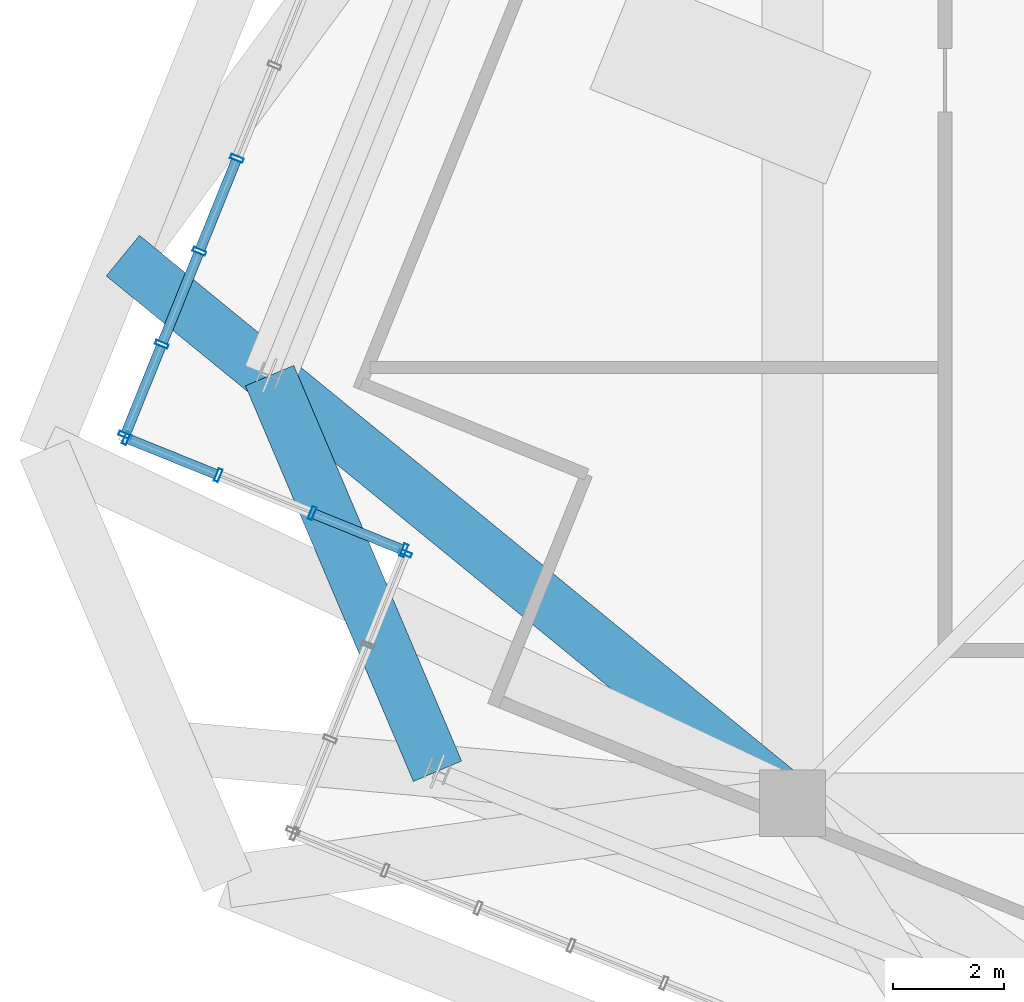
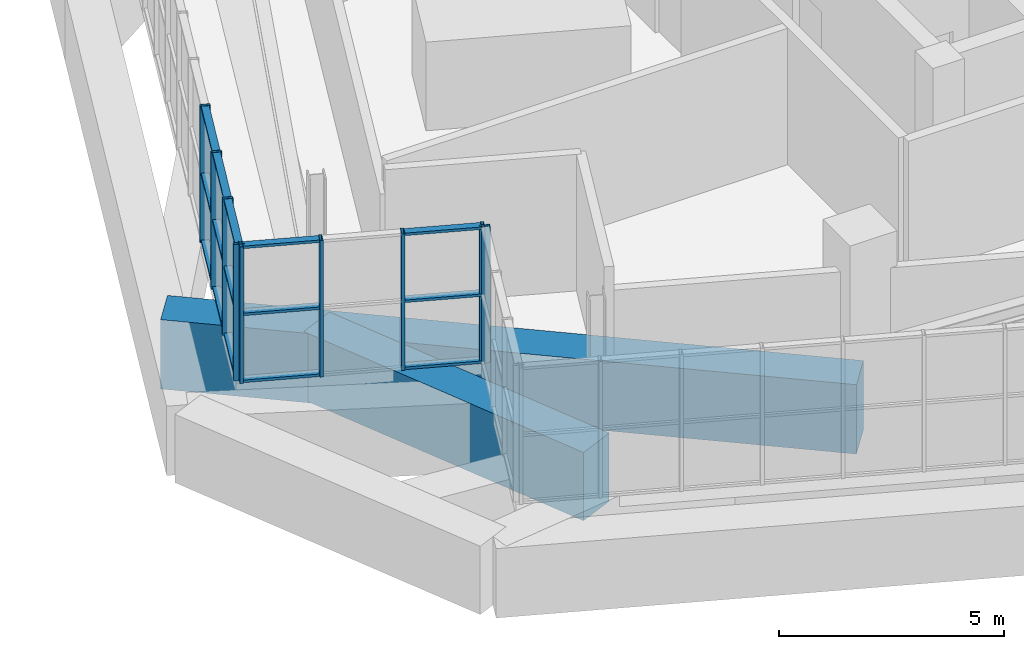
# One storey, part 9 of 35: 24 members, 2 beams, 3 elements without a shape of their own.
"""IFC4 building model written with IfcOpenShell, lengths in metres."""

from ifc_helpers import new_model, si_unit, direction, frame, origin, origin_2d, place, context, subcontext, project, spatial, rectangle, hollow_rectangle, extrude, source, transform, mapped, material, layer, layer_set, material_profile, profile_set, type_object, element, aggregate, save


model = new_model("IFC4")

# Units and contexts
model_context = context("Model", 3, precision=1e-05, world=origin(), true_north=direction((0.0, 1.0)))
body_context = subcontext(model_context, "Body", "Model", "MODEL_VIEW")
ifc_project = project(units=[si_unit("LENGTHUNIT", "METRE"), si_unit("AREAUNIT", "SQUARE_METRE"), si_unit("VOLUMEUNIT", "CUBIC_METRE"), si_unit("PLANEANGLEUNIT", "RADIAN"), si_unit("MASSUNIT", "GRAM", prefix="KILO"), si_unit("THERMODYNAMICTEMPERATUREUNIT", "KELVIN")], contexts=[model_context])

# Site, building, storey
site_placement = place(None, origin())
site = spatial("IfcSite", under=ifc_project, at=site_placement, CompositionType="ELEMENT")
building_placement = place(site_placement, origin())
building = spatial("IfcBuilding", under=site, at=building_placement, Name="Kosmvard Interchange Tower", CompositionType="ELEMENT")
storey_placement = place(building_placement, frame((0.0, 0.0, 321.60009765625)))
storey = spatial("IfcBuildingStorey", under=building, at=storey_placement, Name="L79", CompositionType="ELEMENT", Elevation=321.60009765625)

# Beams
ifc_material_1 = material(Name="Concrete C60/75", Category="concrete")
ifc_material_profile_1 = material_profile(ifc_material_1, rectangle(XDim=0.949951171875, YDim=1.8798828125, at=origin_2d()), Name="TG 950x1880")
ifc_profile_set_1 = profile_set([ifc_material_profile_1], Name="Concrete C60/75")
beam_type_1 = type_object("IfcBeamType", Name="Upper Long-Span Transfer Girder 950x1880 C60/75", PredefinedType="USERDEFINED", material=ifc_profile_set_1)
shared_shape_1 = source(origin(), body_context, "Body", "SweptSolid", [
    extrude(rectangle(XDim=0.949951171875, YDim=1.8798828125, at=origin_2d()), origin(), (0.0, 0.0, 1.0), 15.652587890625),
])
beam_1_placement = place(storey_placement, frame((-13.0810546875, -13.0810546875, -0.940185546875), z_axis=(-0.774168517921, 0.632979546163, 0.0), x_axis=(-0.632979546163, -0.774168517921, 0.0)))
element("IfcBeam", 1, at=beam_1_placement, inside=storey, type_object=beam_type_1, Name="BM-L79-RD09", ObjectType="TRANSFER_GIRDER", PredefinedType="USERDEFINED", context=body_context, shape_type="MappedRepresentation", body=[
    mapped(shared_shape_1, transform((0.0, 0.0, 0.0), scale=1.0)),
])
ifc_material_profile_2 = material_profile(ifc_material_1, rectangle(XDim=0.949951171875, YDim=1.85009765625, at=origin_2d()), Name="TG 950x1850")
ifc_profile_set_2 = profile_set([ifc_material_profile_2], Name="Concrete C60/75")
beam_type_2 = type_object("IfcBeamType", Name="Upper Transfer Ring Girder 950x1850 C60/75", PredefinedType="USERDEFINED", material=ifc_profile_set_2)
shared_shape_2 = source(origin(), body_context, "Body", "SweptSolid", [
    extrude(rectangle(XDim=0.949951171875, YDim=1.85009765625, at=origin_2d()), origin(), (0.0, 0.0, 1.0), 7.778076171875),
])
beam_2_placement = place(storey_placement, frame((-22.54345703125, -5.34423828125, -0.925048828125), z_axis=(0.39071589075, -0.92051132134, 0.0), x_axis=(0.92051132134, 0.39071589075, 0.0)))
element("IfcBeam", 2, at=beam_2_placement, inside=storey, type_object=beam_type_2, Name="BM-L79-PR09", ObjectType="TRANSFER_GIRDER", PredefinedType="USERDEFINED", context=body_context, shape_type="MappedRepresentation", body=[
    mapped(shared_shape_2, transform((0.0, 0.0, 0.0), scale=1.0)),
])

# Curtain wall, members
ifc_material_2 = material(Name="Architectural anodised aluminium", Category="aluminium")
ifc_layer = layer(ifc_material_2, 0.25, Name="Architectural anodised aluminium")
ifc_layer_set = layer_set([ifc_layer], Name="Architectural anodised aluminium")
curtain_wall_type = type_object("IfcCurtainWallType", Name="CW-6 Illuminated Crown Lantern Curtain Wall", PredefinedType="NOTDEFINED", material=ifc_layer_set)
curtain_wall_1_placement = place(storey_placement, origin())
curtain_wall_1 = element("IfcCurtainWall", 3, at=curtain_wall_1_placement, inside=storey, type_object=curtain_wall_type, Name="L79 Crown Lantern Glazing Face 07", PredefinedType="NOTDEFINED")
ifc_material_profile_3 = material_profile(ifc_material_2, hollow_rectangle(XDim=0.239990234375, YDim=0.080078125, WallThickness=0.006103515625, at=origin_2d()), Name="CWM 240x80x6")
ifc_profile_set_3 = profile_set([ifc_material_profile_3], Name="Architectural anodised aluminium")
member_type_1 = type_object("IfcMemberType", Name="Lantern & Observation CW Mullion 240x80 Aluminium", PredefinedType="MULLION", material=ifc_profile_set_3)
shared_shape_3 = source(origin(), body_context, "Body", "SweptSolid", [
    extrude(hollow_rectangle(XDim=0.239990234375, YDim=0.080078125, WallThickness=0.006103515625, at=origin_2d()), origin(), (0.0, 0.0, 1.0), 3.699951171875),
])
member_1_placement = place(storey_placement, frame((-23.13427734375, -1.414306640625, 0.0), z_axis=(0.0, 0.0, 1.0), x_axis=(0.927183858065, -0.374606584758, 0.0)))
member_1 = element("IfcMember", 4, at=member_1_placement, type_object=member_type_1, Name="CW-6 mullion 15", PredefinedType="MULLION", context=body_context, shape_type="MappedRepresentation", body=[
    mapped(shared_shape_3, transform((0.0, 0.0, 0.0), scale=1.0)),
])
member_2_placement = place(storey_placement, frame((-23.81396484375, -3.096435546875, 0.0), z_axis=(0.0, 0.0, 1.0), x_axis=(0.927183858065, -0.374606584758, 0.0)))
member_2 = element("IfcMember", 5, at=member_2_placement, type_object=member_type_1, Name="CW-6 mullion 16", PredefinedType="MULLION", context=body_context, shape_type="MappedRepresentation", body=[
    mapped(shared_shape_3, transform((0.0, 0.0, 0.0), scale=1.0)),
])
member_3_placement = place(storey_placement, frame((-24.49365234375, -4.7783203125, 0.0), z_axis=(0.0, 0.0, 1.0), x_axis=(0.927183858065, -0.374606584758, 0.0)))
member_3 = element("IfcMember", 6, at=member_3_placement, type_object=member_type_1, Name="CW-6 mullion 17", PredefinedType="MULLION", context=body_context, shape_type="MappedRepresentation", body=[
    mapped(shared_shape_3, transform((0.0, 0.0, 0.0), scale=1.0)),
])
member_4_placement = place(storey_placement, frame((-25.158203125, -6.42333984375, 0.0), z_axis=(0.0, 0.0, 1.0), x_axis=(0.927183858065, -0.374606584758, 0.0)))
member_4 = element("IfcMember", 7, at=member_4_placement, type_object=member_type_1, Name="CW-6 mullion 18", PredefinedType="MULLION", context=body_context, shape_type="MappedRepresentation", body=[
    mapped(shared_shape_3, transform((0.0, 0.0, 0.0), scale=1.0)),
])

curtain_wall_2_placement = place(storey_placement, origin())
curtain_wall_2 = element("IfcCurtainWall", 8, at=curtain_wall_2_placement, inside=storey, type_object=curtain_wall_type, Name="L79 Crown Lantern Glazing Face 08", PredefinedType="NOTDEFINED")
member_5_placement = place(storey_placement, frame((-25.135986328125, -6.475341796875, 0.0), z_axis=(0.0, 0.0, 1.0), x_axis=(0.374606564822, 0.92718386612, 0.0)))
member_5 = element("IfcMember", 9, at=member_5_placement, type_object=member_type_1, Name="CW-6 mullion 1", PredefinedType="MULLION", context=body_context, shape_type="MappedRepresentation", body=[
    mapped(shared_shape_3, transform((0.0, 0.0, 0.0), scale=1.0)),
])
member_6_placement = place(storey_placement, frame((-23.473388671875, -7.147216796875, 0.0), z_axis=(0.0, 0.0, 1.0), x_axis=(0.374606564822, 0.92718386612, 0.0)))
member_6 = element("IfcMember", 10, at=member_6_placement, type_object=member_type_1, Name="CW-6 mullion 2", PredefinedType="MULLION", context=body_context, shape_type="MappedRepresentation", body=[
    mapped(shared_shape_3, transform((0.0, 0.0, 0.0), scale=1.0)),
])
member_7_placement = place(storey_placement, frame((-21.7734375, -7.833984375, 0.0), z_axis=(0.0, 0.0, 1.0), x_axis=(0.374606564822, 0.92718386612, 0.0)))
member_7 = element("IfcMember", 11, at=member_7_placement, type_object=member_type_1, Name="CW-6 mullion 3", PredefinedType="MULLION", context=body_context, shape_type="MappedRepresentation", body=[
    mapped(shared_shape_3, transform((0.0, 0.0, 0.0), scale=1.0)),
])
member_8_placement = place(storey_placement, frame((-20.110595703125, -8.505859375, 0.0), z_axis=(0.0, 0.0, 1.0), x_axis=(0.374606564822, 0.92718386612, 0.0)))
member_8 = element("IfcMember", 12, at=member_8_placement, type_object=member_type_1, Name="CW-6 mullion 4", PredefinedType="MULLION", context=body_context, shape_type="MappedRepresentation", body=[
    mapped(shared_shape_3, transform((0.0, 0.0, 0.0), scale=1.0)),
])

# Curtain wall, member
curtain_wall_3_placement = place(storey_placement, origin())
curtain_wall_3 = element("IfcCurtainWall", 13, at=curtain_wall_3_placement, inside=storey, type_object=curtain_wall_type, Name="L79 Crown Lantern Glazing Face 09", PredefinedType="NOTDEFINED")
member_9_placement = place(storey_placement, frame((-20.088623046875, -8.557861328125, 0.0), z_axis=(0.0, 0.0, 1.0), x_axis=(0.927183891631, -0.374606501678, 0.0)))
member_9 = element("IfcMember", 14, at=member_9_placement, type_object=member_type_1, Name="CW-6 mullion 1", PredefinedType="MULLION", context=body_context, shape_type="MappedRepresentation", body=[
    mapped(shared_shape_3, transform((0.0, 0.0, 0.0), scale=1.0)),
])
aggregate(curtain_wall_3, [member_9])

# Member
ifc_material_profile_4 = material_profile(ifc_material_2, hollow_rectangle(XDim=0.179931640625, YDim=0.070068359375, WallThickness=0.0048828125, at=origin_2d()), Name="CWT 180x70x5")
ifc_profile_set_4 = profile_set([ifc_material_profile_4], Name="Architectural anodised aluminium")
member_type_2 = type_object("IfcMemberType", Name="Heavy Lantern CW Transom 180x70 Aluminium", PredefinedType="USERDEFINED", material=ifc_profile_set_4)
shared_shape_4 = source(origin(), body_context, "Body", "SweptSolid", [
    extrude(hollow_rectangle(XDim=0.179931640625, YDim=0.070068359375, WallThickness=0.0048828125, at=origin_2d()), origin(), (0.0, 0.0, 1.0), 1.694091796875),
])
member_10_placement = place(storey_placement, frame((-24.508544921875, -4.8154296875, 0.034912109375), z_axis=(-0.374544061831, -0.927209116514, 0.0), x_axis=(0.927209116514, -0.374544061831, 0.0)))
member_10 = element("IfcMember", 15, at=member_10_placement, type_object=member_type_2, Name="CW-6 transom 17.1", ObjectType="TRANSOM", PredefinedType="USERDEFINED", context=body_context, shape_type="MappedRepresentation", body=[
    mapped(shared_shape_4, transform((0.0, 0.0, 0.0), scale=1.0)),
])

member_11_placement = place(storey_placement, frame((-24.508544921875, -4.8154296875, 1.849853515625), z_axis=(-0.374544061831, -0.927209116514, 0.0), x_axis=(0.927209116514, -0.374544061831, 0.0)))
member_11 = element("IfcMember", 16, at=member_11_placement, type_object=member_type_2, Name="CW-6 transom 17.2", ObjectType="TRANSOM", PredefinedType="USERDEFINED", context=body_context, shape_type="MappedRepresentation", body=[
    mapped(shared_shape_4, transform((0.0, 0.0, 0.0), scale=1.0)),
])

member_12_placement = place(storey_placement, frame((-24.508544921875, -4.8154296875, 3.664794921875), z_axis=(-0.374544061831, -0.927209116514, 0.0), x_axis=(0.927209116514, -0.374544061831, 0.0)))
member_12 = element("IfcMember", 17, at=member_12_placement, type_object=member_type_2, Name="CW-6 transom 17.3", ObjectType="TRANSOM", PredefinedType="USERDEFINED", context=body_context, shape_type="MappedRepresentation", body=[
    mapped(shared_shape_4, transform((0.0, 0.0, 0.0), scale=1.0)),
])

shared_shape_5 = source(origin(), body_context, "Body", "SweptSolid", [
    extrude(hollow_rectangle(XDim=0.179931640625, YDim=0.070068359375, WallThickness=0.0048828125, at=origin_2d()), origin(), (0.0, 0.0, 1.0), 1.734130859375),
])
member_13_placement = place(storey_placement, frame((-23.1494140625, -1.451416015625, 0.034912109375), z_axis=(-0.374616671924, -0.927179782522, 0.0), x_axis=(0.927179782522, -0.374616671924, 0.0)))
member_13 = element("IfcMember", 18, at=member_13_placement, type_object=member_type_2, Name="CW-6 transom 15.1", ObjectType="TRANSOM", PredefinedType="USERDEFINED", context=body_context, shape_type="MappedRepresentation", body=[
    mapped(shared_shape_5, transform((0.0, 0.0, 0.0), scale=1.0)),
])

member_14_placement = place(storey_placement, frame((-23.1494140625, -1.451416015625, 1.849853515625), z_axis=(-0.374616671924, -0.927179782522, 0.0), x_axis=(0.927179782522, -0.374616671924, 0.0)))
member_14 = element("IfcMember", 19, at=member_14_placement, type_object=member_type_2, Name="CW-6 transom 15.2", ObjectType="TRANSOM", PredefinedType="USERDEFINED", context=body_context, shape_type="MappedRepresentation", body=[
    mapped(shared_shape_5, transform((0.0, 0.0, 0.0), scale=1.0)),
])

member_15_placement = place(storey_placement, frame((-23.1494140625, -1.451416015625, 3.664794921875), z_axis=(-0.374616671924, -0.927179782522, 0.0), x_axis=(0.927179782522, -0.374616671924, 0.0)))
member_15 = element("IfcMember", 20, at=member_15_placement, type_object=member_type_2, Name="CW-6 transom 15.3", ObjectType="TRANSOM", PredefinedType="USERDEFINED", context=body_context, shape_type="MappedRepresentation", body=[
    mapped(shared_shape_5, transform((0.0, 0.0, 0.0), scale=1.0)),
])

shared_shape_6 = source(origin(), body_context, "Body", "SweptSolid", [
    extrude(hollow_rectangle(XDim=0.179931640625, YDim=0.070068359375, WallThickness=0.0048828125, at=origin_2d()), origin(), (0.0, 0.0, 1.0), 1.73388671875),
])
member_16_placement = place(storey_placement, frame((-23.828857421875, -3.133544921875, 0.034912109375), z_axis=(-0.374665576032, -0.927160021861, 0.0), x_axis=(0.927160021861, -0.374665576032, 0.0)))
member_16 = element("IfcMember", 21, at=member_16_placement, type_object=member_type_2, Name="CW-6 transom 16.1", ObjectType="TRANSOM", PredefinedType="USERDEFINED", context=body_context, shape_type="MappedRepresentation", body=[
    mapped(shared_shape_6, transform((0.0, 0.0, 0.0), scale=1.0)),
])

member_17_placement = place(storey_placement, frame((-23.828857421875, -3.133544921875, 1.849853515625), z_axis=(-0.374665576032, -0.927160021861, 0.0), x_axis=(0.927160021861, -0.374665576032, 0.0)))
member_17 = element("IfcMember", 22, at=member_17_placement, type_object=member_type_2, Name="CW-6 transom 16.2", ObjectType="TRANSOM", PredefinedType="USERDEFINED", context=body_context, shape_type="MappedRepresentation", body=[
    mapped(shared_shape_6, transform((0.0, 0.0, 0.0), scale=1.0)),
])

member_18_placement = place(storey_placement, frame((-23.828857421875, -3.133544921875, 3.664794921875), z_axis=(-0.374665576032, -0.927160021861, 0.0), x_axis=(0.927160021861, -0.374665576032, 0.0)))
member_18 = element("IfcMember", 23, at=member_18_placement, type_object=member_type_2, Name="CW-6 transom 16.3", ObjectType="TRANSOM", PredefinedType="USERDEFINED", context=body_context, shape_type="MappedRepresentation", body=[
    mapped(shared_shape_6, transform((0.0, 0.0, 0.0), scale=1.0)),
])

aggregate(curtain_wall_1, [member_1, member_2, member_3, member_4, member_13, member_14, member_15, member_16, member_17, member_18, member_10, member_11, member_12])

shared_shape_7 = source(origin(), body_context, "Body", "SweptSolid", [
    extrude(hollow_rectangle(XDim=0.179931640625, YDim=0.070068359375, WallThickness=0.0048828125, at=origin_2d()), origin(), (0.0, 0.0, 1.0), 1.71337890625),
])
member_19_placement = place(storey_placement, frame((-25.098876953125, -6.490478515625, 0.034912109375), z_axis=(0.927233273404, -0.374484254265, 0.0), x_axis=(0.374484254265, 0.927233273404, 0.0)))
member_19 = element("IfcMember", 24, at=member_19_placement, type_object=member_type_2, Name="CW-6 transom 1.1", ObjectType="TRANSOM", PredefinedType="USERDEFINED", context=body_context, shape_type="MappedRepresentation", body=[
    mapped(shared_shape_7, transform((0.0, 0.0, 0.0), scale=1.0)),
])

member_20_placement = place(storey_placement, frame((-25.098876953125, -6.490478515625, 1.849853515625), z_axis=(0.927233273404, -0.374484254265, 0.0), x_axis=(0.374484254265, 0.927233273404, 0.0)))
member_20 = element("IfcMember", 25, at=member_20_placement, type_object=member_type_2, Name="CW-6 transom 1.2", ObjectType="TRANSOM", PredefinedType="USERDEFINED", context=body_context, shape_type="MappedRepresentation", body=[
    mapped(shared_shape_7, transform((0.0, 0.0, 0.0), scale=1.0)),
])

member_21_placement = place(storey_placement, frame((-25.098876953125, -6.490478515625, 3.664794921875), z_axis=(0.927233273404, -0.374484254265, 0.0), x_axis=(0.374484254265, 0.927233273404, 0.0)))
member_21 = element("IfcMember", 26, at=member_21_placement, type_object=member_type_2, Name="CW-6 transom 1.3", ObjectType="TRANSOM", PredefinedType="USERDEFINED", context=body_context, shape_type="MappedRepresentation", body=[
    mapped(shared_shape_7, transform((0.0, 0.0, 0.0), scale=1.0)),
])

member_22_placement = place(storey_placement, frame((-21.736328125, -7.848876953125, 0.034912109375), z_axis=(0.927183787829, -0.374606758599, 0.0), x_axis=(0.374606758599, 0.927183787829, 0.0)))
member_22 = element("IfcMember", 27, at=member_22_placement, type_object=member_type_2, Name="CW-6 transom 3.1", ObjectType="TRANSOM", PredefinedType="USERDEFINED", context=body_context, shape_type="MappedRepresentation", body=[
    mapped(shared_shape_7, transform((0.0, 0.0, 0.0), scale=1.0)),
])

member_23_placement = place(storey_placement, frame((-21.736328125, -7.848876953125, 1.849853515625), z_axis=(0.927183787829, -0.374606758599, 0.0), x_axis=(0.374606758599, 0.927183787829, 0.0)))
member_23 = element("IfcMember", 28, at=member_23_placement, type_object=member_type_2, Name="CW-6 transom 3.2", ObjectType="TRANSOM", PredefinedType="USERDEFINED", context=body_context, shape_type="MappedRepresentation", body=[
    mapped(shared_shape_7, transform((0.0, 0.0, 0.0), scale=1.0)),
])

member_24_placement = place(storey_placement, frame((-21.736328125, -7.848876953125, 3.664794921875), z_axis=(0.927183787829, -0.374606758599, 0.0), x_axis=(0.374606758599, 0.927183787829, 0.0)))
member_24 = element("IfcMember", 29, at=member_24_placement, type_object=member_type_2, Name="CW-6 transom 3.3", ObjectType="TRANSOM", PredefinedType="USERDEFINED", context=body_context, shape_type="MappedRepresentation", body=[
    mapped(shared_shape_7, transform((0.0, 0.0, 0.0), scale=1.0)),
])

aggregate(curtain_wall_2, [member_5, member_6, member_7, member_8, member_19, member_20, member_21, member_22, member_23, member_24])

save(model, "model.ifc")
